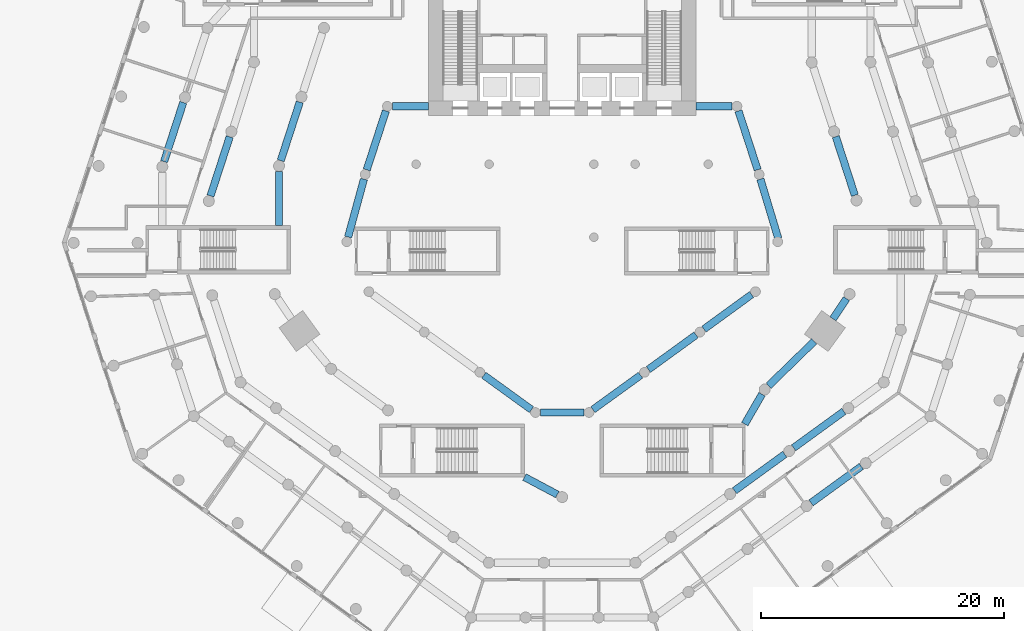
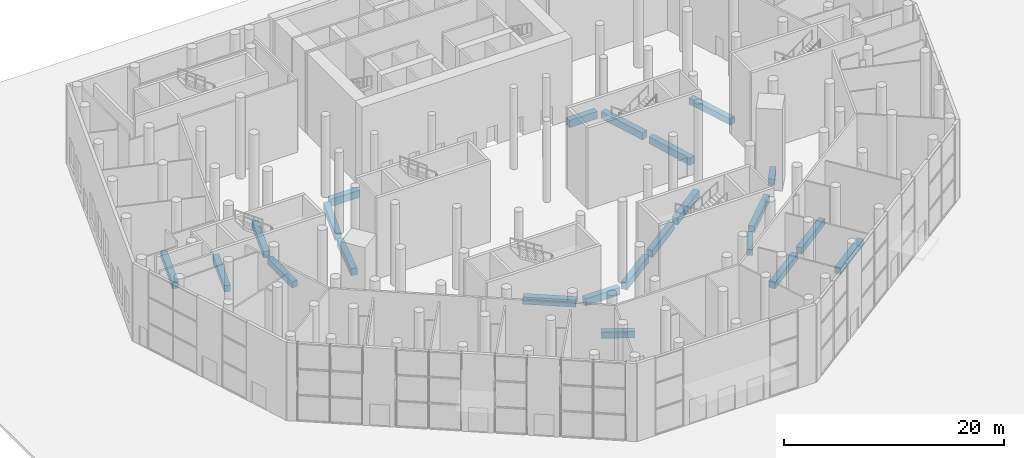
# One storey, part 5 of 25: 23 beams.
"""IFC4 building model written with IfcOpenShell, lengths in metres."""

from ifc_helpers import new_model, si_unit, direction, frame, origin, origin_2d, place, context, subcontext, project, spatial, rectangle, extrude, material, material_profile, profile_set, type_object, element, save


model = new_model("IFC4")

# Units and contexts
model_context = context("Model", 3, precision=1e-05, world=origin(), true_north=direction((0.0, 1.0)))
body_context = subcontext(model_context, "Body", "Model", "MODEL_VIEW")
ifc_project = project(units=[si_unit("LENGTHUNIT", "METRE"), si_unit("AREAUNIT", "SQUARE_METRE"), si_unit("VOLUMEUNIT", "CUBIC_METRE"), si_unit("PLANEANGLEUNIT", "RADIAN"), si_unit("MASSUNIT", "GRAM", prefix="KILO")], contexts=[model_context])

# Site, building, storey
site_placement = place(None, origin())
site = spatial("IfcSite", under=ifc_project, at=site_placement, CompositionType="ELEMENT")
building_placement = place(site_placement, origin())
building = spatial("IfcBuilding", under=site, at=building_placement, Name="White Candle Pilgrim Tower", CompositionType="ELEMENT")
storey_placement = place(building_placement, origin())
storey = spatial("IfcBuildingStorey", under=building, at=storey_placement, Name="L00", CompositionType="ELEMENT", Elevation=0.0)

# Beams
ifc_material = material(Name="Concrete C50/60", Category="concrete")
ifc_material_profile_1 = material_profile(ifc_material, rectangle(XDim=0.60009765625, YDim=0.800048828125, at=origin_2d()), Name="RC-BM 600x800")
ifc_profile_set_1 = profile_set([ifc_material_profile_1], Name="Concrete C50/60")
beam_type_1 = type_object("IfcBeamType", Name="Ring beam RC-BM 600x800 C50/60", PredefinedType="BEAM", material=ifc_profile_set_1)
beam_1_placement = place(storey_placement, frame((63.56396484375, 49.66552734375, -0.85009765625), z_axis=(0.810124276712, -0.586258182273, 0.0), x_axis=(0.586258182273, 0.810124276712, 0.0)))
element("IfcBeam", 1, at=beam_1_placement, inside=storey, type_object=beam_type_1, Name="L00 ring beam R03", PredefinedType="BEAM", context=body_context, shape_type="SweptSolid", body=[
    extrude(rectangle(XDim=0.60009765625, YDim=0.800048828125, at=origin_2d()), origin(), (0.0, 0.0, 1.0), 4.8291015625),
])
beam_2_placement = place(storey_placement, frame((68.199951171875, 46.60009765625, -0.85009765625), z_axis=(1.0, 0.0, 0.0), x_axis=(0.0, 1.0, 0.0)))
element("IfcBeam", 2, at=beam_2_placement, inside=storey, type_object=beam_type_1, Name="L00 ring beam R04", PredefinedType="BEAM", context=body_context, shape_type="SweptSolid", body=[
    extrude(rectangle(XDim=0.60009765625, YDim=0.800048828125, at=origin_2d()), origin(), (0.0, 0.0, 1.0), 3.60009765625),
])
beam_3_placement = place(storey_placement, frame((72.52392578125, 46.83447265625, -0.85009765625), z_axis=(0.810124276712, 0.586258182273, 0.0), x_axis=(-0.586258182273, 0.810124276712, 0.0)))
element("IfcBeam", 3, at=beam_3_placement, inside=storey, type_object=beam_type_1, Name="L00 ring beam R05", PredefinedType="BEAM", context=body_context, shape_type="SweptSolid", body=[
    extrude(rectangle(XDim=0.60009765625, YDim=0.800048828125, at=origin_2d()), origin(), (0.0, 0.0, 1.0), 4.8291015625),
])
beam_4_placement = place(storey_placement, frame((77.08349609375, 50.135009765625, -0.85009765625), z_axis=(0.809305595912, 0.587387821141, 0.0), x_axis=(-0.587387821141, 0.809305595912, 0.0)))
element("IfcBeam", 4, at=beam_4_placement, inside=storey, type_object=beam_type_1, Name="L00 ring beam R06", PredefinedType="BEAM", context=body_context, shape_type="SweptSolid", body=[
    extrude(rectangle(XDim=0.60009765625, YDim=0.800048828125, at=origin_2d()), origin(), (0.0, 0.0, 1.0), 4.835205078125),
])
beam_5_placement = place(storey_placement, frame((81.643310546875, 53.4453125, -0.85009765625), z_axis=(0.808428473545, 0.588594430115, 0.0), x_axis=(-0.588594430115, 0.808428473545, 0.0)))
element("IfcBeam", 5, at=beam_5_placement, inside=storey, type_object=beam_type_1, Name="L00 ring beam R07", PredefinedType="BEAM", context=body_context, shape_type="SweptSolid", body=[
    extrude(rectangle(XDim=0.60009765625, YDim=0.800048828125, at=origin_2d()), origin(), (0.0, 0.0, 1.0), 4.841064453125),
])
beam_6_placement = place(storey_placement, frame((87.758544921875, 60.880615234375, -0.85009765625), z_axis=(-0.288158585829, 0.957582701083, 0.0), x_axis=(-0.957582701083, -0.288158585829, 0.0)))
element("IfcBeam", 6, at=beam_6_placement, inside=storey, type_object=beam_type_1, Name="L00 ring beam R08", PredefinedType="BEAM", context=body_context, shape_type="SweptSolid", body=[
    extrude(rectangle(XDim=0.60009765625, YDim=0.800048828125, at=origin_2d()), origin(), (0.0, 0.0, 1.0), 5.110595703125),
])
beam_7_placement = place(storey_placement, frame((86.056396484375, 66.540283203125, -0.85009765625), z_axis=(-0.30907956305, 0.951036184225, 0.0), x_axis=(-0.951036184225, -0.30907956305, 0.0)))
element("IfcBeam", 7, at=beam_7_placement, inside=storey, type_object=beam_type_1, Name="L00 ring beam R09", PredefinedType="BEAM", context=body_context, shape_type="SweptSolid", body=[
    extrude(rectangle(XDim=0.60009765625, YDim=0.800048828125, at=origin_2d()), origin(), (0.0, 0.0, 1.0), 5.088623046875),
])
for number, where, z_axis, x_axis, name in (
    (8, (83.9599609375, 71.760009765625, -0.85009765625), (-1.0, 0.0, 0.0), (0.0, -1.0, 0.0), "L00 ring beam R10"),
    (9, (56.0400390625, 71.760009765625, -0.85009765625), (1.0, 0.0, 0.0), (0.0, 1.0, 0.0), "L00 ring beam R11"),
):
    element("IfcBeam", number, at=place(storey_placement, frame(where, z_axis=z_axis, x_axis=x_axis)), inside=storey, type_object=beam_type_1, Name=name, PredefinedType="BEAM", context=body_context, shape_type="SweptSolid", body=[
        extrude(rectangle(XDim=0.60009765625, YDim=0.800048828125, at=origin_2d()), origin(), (0.0, 0.0, 1.0), 2.9599609375),
    ])
beam_8_placement = place(storey_placement, frame((55.516357421875, 71.379638671875, -0.85009765625), z_axis=(-0.30907956305, -0.951036184225, 0.0), x_axis=(0.951036184225, -0.30907956305, 0.0)))
element("IfcBeam", 10, at=beam_8_placement, inside=storey, type_object=beam_type_1, Name="L00 ring beam R12", PredefinedType="BEAM", context=body_context, shape_type="SweptSolid", body=[
    extrude(rectangle(XDim=0.60009765625, YDim=0.800048828125, at=origin_2d()), origin(), (0.0, 0.0, 1.0), 5.088623046875),
])
beam_9_placement = place(storey_placement, frame((53.714599609375, 65.774169921875, -0.85009765625), z_axis=(-0.263418939206, -0.964681534221, 0.0), x_axis=(0.964681534221, -0.263418939206, 0.0)))
element("IfcBeam", 11, at=beam_9_placement, inside=storey, type_object=beam_type_1, Name="L00 ring beam R13", PredefinedType="BEAM", context=body_context, shape_type="SweptSolid", body=[
    extrude(rectangle(XDim=0.60009765625, YDim=0.800048828125, at=origin_2d()), origin(), (0.0, 0.0, 1.0), 4.9326171875),
])
ifc_material_profile_2 = material_profile(ifc_material, rectangle(XDim=0.60009765625, YDim=0.699951171875, at=origin_2d()), Name="RC-BM 600x700")
ifc_profile_set_2 = profile_set([ifc_material_profile_2], Name="Concrete C50/60")
beam_type_2 = type_object("IfcBeamType", Name="Spandrel beam RC-BM 600x700 C50/60", PredefinedType="BEAM", material=ifc_profile_set_2)
beam_10_placement = place(storey_placement, frame((69.60302734375, 39.861328125, -0.800048828125), z_axis=(-0.882752092562, 0.469839060826, 0.0), x_axis=(-0.469839060826, -0.882752092562, 0.0)))
element("IfcBeam", 12, at=beam_10_placement, inside=storey, type_object=beam_type_2, Name="L00 spandrel beam T04", PredefinedType="BEAM", context=body_context, shape_type="SweptSolid", body=[
    extrude(rectangle(XDim=0.60009765625, YDim=0.699951171875, at=origin_2d()), origin(), (0.0, 0.0, 1.0), 3.062255859375),
])
beam_11_placement = place(storey_placement, frame((86.4150390625, 48.100341796875, -0.800048828125), z_axis=(-0.500073465784, -0.865982984139, 0.0), x_axis=(0.865982984139, -0.500073465784, 0.0)))
element("IfcBeam", 13, at=beam_11_placement, inside=storey, type_object=beam_type_2, Name="L00 spandrel beam T05", PredefinedType="BEAM", context=body_context, shape_type="SweptSolid", body=[
    extrude(rectangle(XDim=0.60009765625, YDim=0.699951171875, at=origin_2d()), origin(), (0.0, 0.0, 1.0), 2.82958984375),
])
beam_12_placement = place(storey_placement, frame((86.96240234375, 48.8037109375, -0.800048828125), z_axis=(0.716431871675, 0.697657059914, 0.0), x_axis=(-0.697657059914, 0.716431871675, 0.0)))
element("IfcBeam", 14, at=beam_12_placement, inside=storey, type_object=beam_type_2, Name="L00 spandrel beam T06", PredefinedType="BEAM", context=body_context, shape_type="SweptSolid", body=[
    extrude(rectangle(XDim=0.60009765625, YDim=0.699951171875, at=origin_2d()), origin(), (0.0, 0.0, 1.0), 5.2275390625),
])
beam_13_placement = place(storey_placement, frame((92.248291015625, 54.297607421875, -0.800048828125), z_axis=(0.556617573138, 0.830768847077, 0.0), x_axis=(-0.830768847077, 0.556617573138, 0.0)))
element("IfcBeam", 15, at=beam_13_placement, inside=storey, type_object=beam_type_2, Name="L00 spandrel beam T07", PredefinedType="BEAM", context=body_context, shape_type="SweptSolid", body=[
    extrude(rectangle(XDim=0.60009765625, YDim=0.699951171875, at=origin_2d()), origin(), (0.0, 0.0, 1.0), 1.99658203125),
])
for number, where, z_axis, x_axis, name in (
    (16, (94.041015625, 64.447998046875, -0.800048828125), (-0.308620298764, 0.951185319058, 0.0), (-0.951185319058, -0.308620298764, 0.0), "L00 spandrel beam T08"),
    (17, (48.441162109375, 72.10205078125, -0.800048828125), (-0.308663940381, -0.951171158051, 0.0), (0.951171158051, -0.308663940381, 0.0), "L00 spandrel beam T12"),
):
    element("IfcBeam", number, at=place(storey_placement, frame(where, z_axis=z_axis, x_axis=x_axis)), inside=storey, type_object=beam_type_2, Name=name, PredefinedType="BEAM", context=body_context, shape_type="SweptSolid", body=[
        extrude(rectangle(XDim=0.60009765625, YDim=0.699951171875, at=origin_2d()), origin(), (0.0, 0.0, 1.0), 5.061279296875),
    ])
beam_14_placement = place(storey_placement, frame((46.739990234375, 66.409912109375, -0.800048828125), z_axis=(0.0, -1.0, 0.0), x_axis=(1.0, 0.0, 0.0)))
element("IfcBeam", 18, at=beam_14_placement, inside=storey, type_object=beam_type_2, Name="L00 spandrel beam T13", PredefinedType="BEAM", context=body_context, shape_type="SweptSolid", body=[
    extrude(rectangle(XDim=0.60009765625, YDim=0.699951171875, at=origin_2d()), origin(), (0.0, 0.0, 1.0), 4.4599609375),
])
beam_15_placement = place(storey_placement, frame((90.44482421875, 39.17626953125, -0.800048828125), z_axis=(0.809021578494, 0.587778942742, 0.0), x_axis=(-0.587778942742, 0.809021578494, 0.0)))
element("IfcBeam", 19, at=beam_15_placement, inside=storey, type_object=beam_type_2, Name="L00 spandrel beam B14", PredefinedType="BEAM", context=body_context, shape_type="SweptSolid", body=[
    extrude(rectangle(XDim=0.60009765625, YDim=0.699951171875, at=origin_2d()), origin(), (0.0, 0.0, 1.0), 5.1015625),
])
beam_16_placement = place(storey_placement, frame((38.868896484375, 72.065185546875, -0.800048828125), z_axis=(-0.30918240299, -0.951002755875, 0.0), x_axis=(0.951002755875, -0.30918240299, 0.0)))
element("IfcBeam", 20, at=beam_16_placement, inside=storey, type_object=beam_type_2, Name="L00 spandrel beam B26", PredefinedType="BEAM", context=body_context, shape_type="SweptSolid", body=[
    extrude(rectangle(XDim=0.60009765625, YDim=0.699951171875, at=origin_2d()), origin(), (0.0, 0.0, 1.0), 5.100341796875),
])
beam_17_placement = place(storey_placement, frame((84.159912109375, 40.17236328125, -0.800048828125), z_axis=(0.809069240735, 0.587713334625, 0.0), x_axis=(-0.587713334625, 0.809069240735, 0.0)))
element("IfcBeam", 21, at=beam_17_placement, inside=storey, type_object=beam_type_2, Name="L00 spandrel beam C11", PredefinedType="BEAM", context=body_context, shape_type="SweptSolid", body=[
    extrude(rectangle(XDim=0.60009765625, YDim=0.699951171875, at=origin_2d()), origin(), (0.0, 0.0, 1.0), 5.099853515625),
])
beam_18_placement = place(storey_placement, frame((89.013916015625, 43.698486328125, -0.800048828125), z_axis=(0.80900095282, 0.587807330965, 0.0), x_axis=(-0.587807330965, 0.80900095282, 0.0)))
element("IfcBeam", 22, at=beam_18_placement, inside=storey, type_object=beam_type_2, Name="L00 spandrel beam C12", PredefinedType="BEAM", context=body_context, shape_type="SweptSolid", body=[
    extrude(rectangle(XDim=0.60009765625, YDim=0.699951171875, at=origin_2d()), origin(), (0.0, 0.0, 1.0), 5.100341796875),
])
beam_19_placement = place(storey_placement, frame((42.68505859375, 69.248291015625, -0.800048828125), z_axis=(-0.308982180599, -0.951067827272, 0.0), x_axis=(0.951067827272, -0.308982180599, 0.0)))
element("IfcBeam", 23, at=beam_19_placement, inside=storey, type_object=beam_type_2, Name="L00 spandrel beam C23", PredefinedType="BEAM", context=body_context, shape_type="SweptSolid", body=[
    extrude(rectangle(XDim=0.60009765625, YDim=0.699951171875, at=origin_2d()), origin(), (0.0, 0.0, 1.0), 5.10107421875),
])

save(model, "model.ifc")
